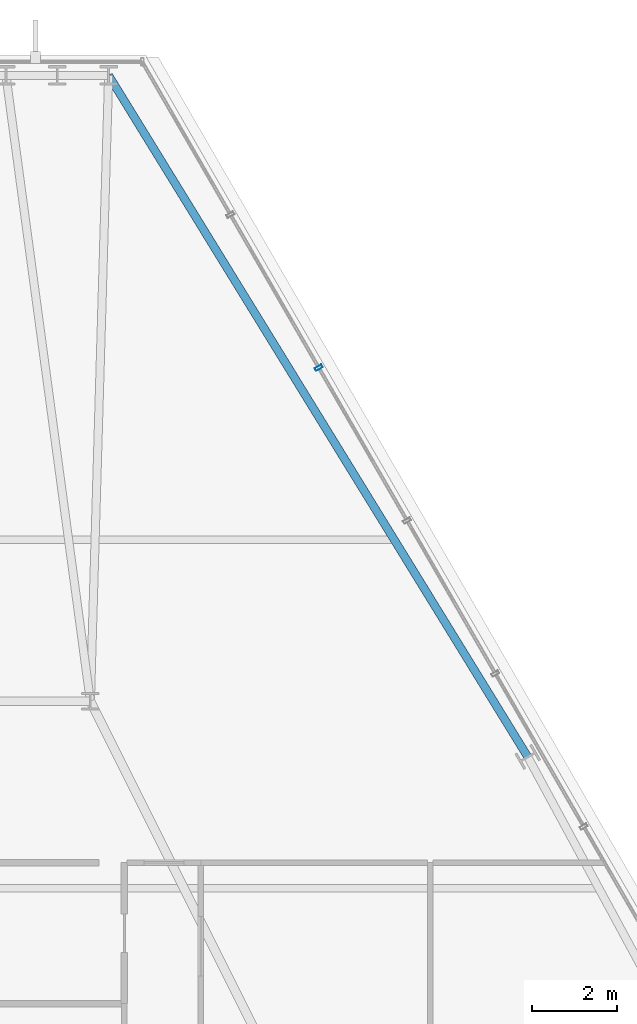
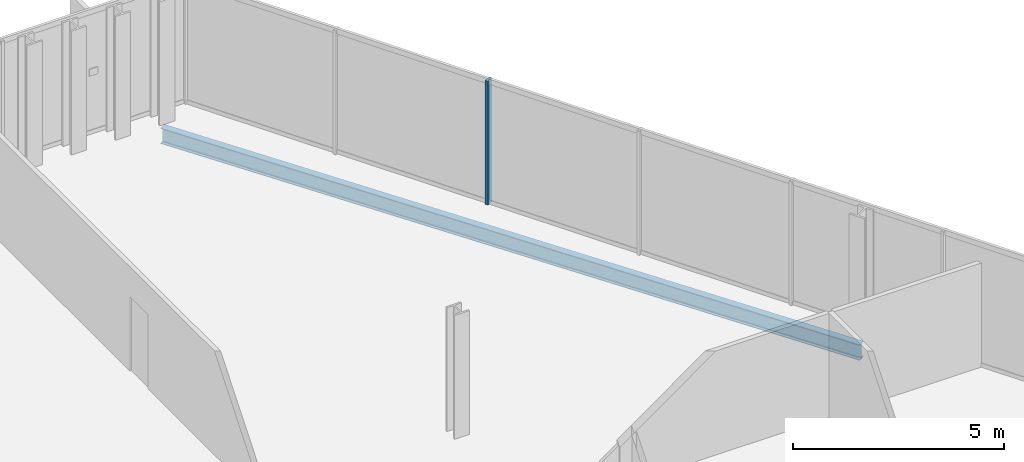
# One storey, part 26 of 35: 1 beam, 1 member, 1 element without a shape of its own.
"""IFC4 building model written with IfcOpenShell, lengths in metres."""

from ifc_helpers import new_model, si_unit, direction, frame, origin, origin_2d, place, context, subcontext, project, spatial, hollow_rectangle, i_section, extrude, material, layer, layer_set, material_profile, profile_set, type_object, element, aggregate, save


model = new_model("IFC4")

# Units and contexts
model_context = context("Model", 3, precision=1e-05, world=origin(), true_north=direction((0.0, 1.0)))
body_context = subcontext(model_context, "Body", "Model", "MODEL_VIEW")
ifc_project = project(units=[si_unit("LENGTHUNIT", "METRE"), si_unit("AREAUNIT", "SQUARE_METRE"), si_unit("VOLUMEUNIT", "CUBIC_METRE"), si_unit("PLANEANGLEUNIT", "RADIAN"), si_unit("MASSUNIT", "GRAM", prefix="KILO")], contexts=[model_context])

# Site, building, storey
site_placement = place(None, origin())
site = spatial("IfcSite", under=ifc_project, at=site_placement, CompositionType="ELEMENT")
building_placement = place(site_placement, origin())
building = spatial("IfcBuilding", under=site, at=building_placement, Name="Ndaravel Arena Tower", CompositionType="ELEMENT")
storey_placement = place(building_placement, frame((0.0, 0.0, 172.60009765625)))
storey = spatial("IfcBuildingStorey", under=building, at=storey_placement, Name="L41", CompositionType="ELEMENT", Elevation=172.60009765625)

# Beam
ifc_material_1 = material(Name="Steel S355", Category="steel")
ifc_material_profile_1 = material_profile(ifc_material_1, i_section(OverallWidth=0.18994140625, OverallDepth=0.449951171875, WebThickness=0.009521484375, FlangeThickness=0.0146484375, FilletRadius=0.02099609375, at=origin_2d()), Name="IPE 450")
ifc_profile_set_1 = profile_set([ifc_material_profile_1], Name="Steel S355")
beam_type = type_object("IfcBeamType", Name="BM-SPAN-IPE450", PredefinedType="SPANDREL", material=ifc_profile_set_1)
beam_placement = place(storey_placement, frame((56.093505859375, 29.890380859375, -0.445068359375), z_axis=(-0.523878923011, 0.851792741238, 0.0), x_axis=(-0.851792741238, -0.523878923011, 0.0)))
element("IfcBeam", 1, at=beam_placement, inside=storey, type_object=beam_type, Name="L41 Perimeter Spandrel Beam SP-10", PredefinedType="SPANDREL", context=body_context, shape_type="SweptSolid", body=[
    extrude(i_section(OverallWidth=0.18994140625, OverallDepth=0.449951171875, WebThickness=0.009521484375, FlangeThickness=0.0146484375, FilletRadius=0.02099609375, at=origin_2d()), origin(), (0.0, 0.0, 1.0), 18.828369140625),
])

# Curtain wall, member
ifc_material_2 = material(Name="Aluminium", Category="aluminium")
ifc_layer = layer(ifc_material_2, 0.179931640625)
ifc_layer_set = layer_set([ifc_layer], Name="Aluminium")
curtain_wall_type = type_object("IfcCurtainWallType", Name="CW-SYS-03", PredefinedType="NOTDEFINED", material=ifc_layer_set)
curtain_wall_placement = place(storey_placement, origin())
curtain_wall = element("IfcCurtainWall", 2, at=curtain_wall_placement, inside=storey, type_object=curtain_wall_type, Name="L41 Faceted Crystal Curtain Wall CW-L41-E03", PredefinedType="NOTDEFINED")
ifc_material_3 = material(Name="Aluminium", Category="aluminium")
ifc_material_profile_2 = material_profile(ifc_material_3, hollow_rectangle(XDim=0.074951171875, YDim=0.179931640625, WallThickness=0.00390625, at=origin_2d()), Name="CW MULLION 75x180x4")
ifc_profile_set_2 = profile_set([ifc_material_profile_2], Name="Aluminium")
member_type = type_object("IfcMemberType", Name="MEM-CW-MUL180", PredefinedType="MULLION", material=ifc_profile_set_2)
member_placement = place(storey_placement, frame((51.175048828125, 39.04931640625, 0.0), z_axis=(0.0, 0.0, 1.0), x_axis=(-0.5, 0.866025403784, 0.0)))
member = element("IfcMember", 3, at=member_placement, type_object=member_type, Name="CW-L41-E03 Mullion 07", PredefinedType="MULLION", context=body_context, shape_type="SweptSolid", body=[
    extrude(hollow_rectangle(XDim=0.074951171875, YDim=0.179931640625, WallThickness=0.00390625, at=origin_2d()), origin(), (0.0, 0.0, 1.0), 3.579833984375),
])
aggregate(curtain_wall, [member])

save(model, "model.ifc")
